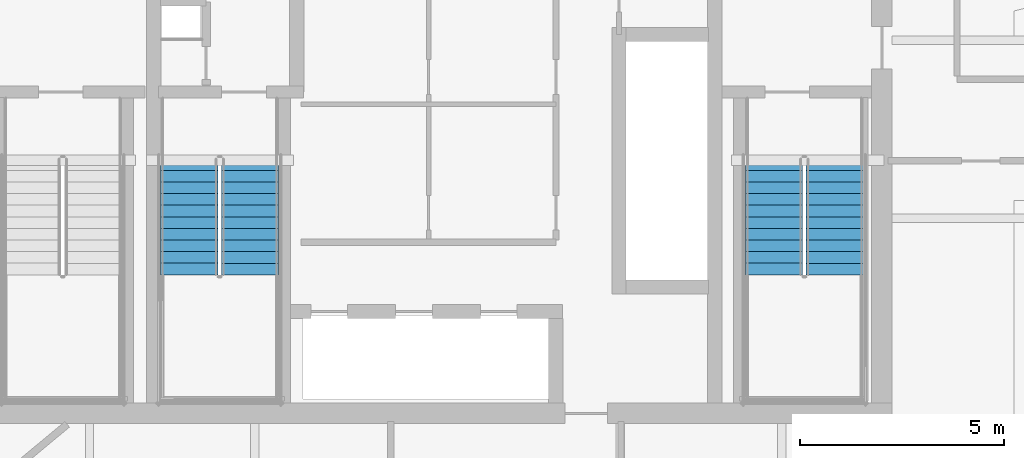
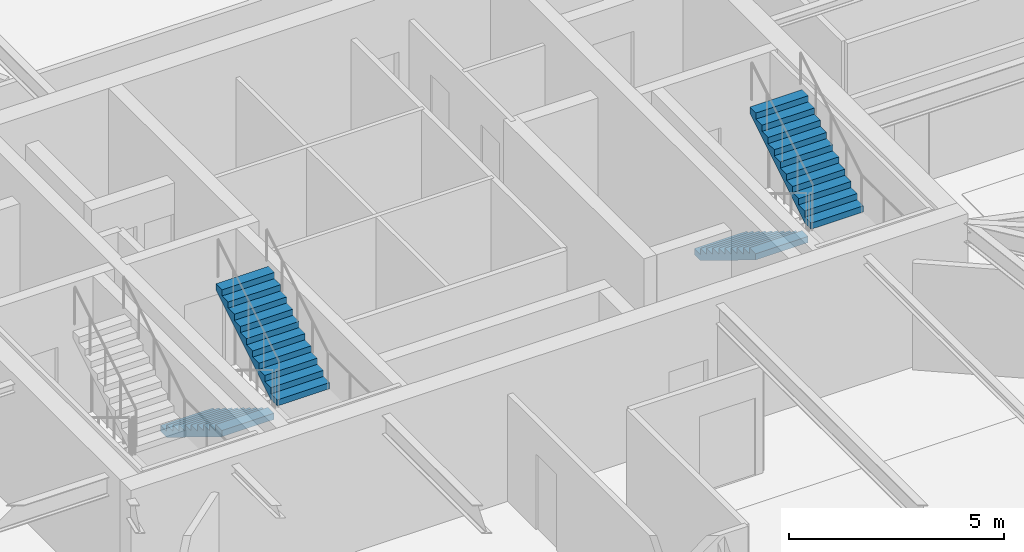
# One storey, part 16 of 20: 4 stair flights, 2 elements without a shape of their own.
"""IFC4 building model written with IfcOpenShell, lengths in metres."""

from ifc_helpers import new_model, si_unit, direction, frame, origin, place, context, subcontext, project, spatial, polyline, outline, extrude, material, type_object, element, aggregate, save


model = new_model("IFC4")

# Units and contexts
model_context = context("Model", 3, precision=1e-05, world=origin(), true_north=direction((0.0, 1.0)))
body_context = subcontext(model_context, "Body", "Model", "MODEL_VIEW")
ifc_project = project(units=[si_unit("LENGTHUNIT", "METRE"), si_unit("AREAUNIT", "SQUARE_METRE"), si_unit("VOLUMEUNIT", "CUBIC_METRE"), si_unit("PLANEANGLEUNIT", "RADIAN"), si_unit("MASSUNIT", "GRAM", prefix="KILO")], contexts=[model_context])

# Site, building, storey
site_placement = place(None, origin())
site = spatial("IfcSite", under=ifc_project, at=site_placement, CompositionType="ELEMENT")
building_placement = place(site_placement, origin())
building = spatial("IfcBuilding", under=site, at=building_placement, Name="Bramvorn Convention Spire", CompositionType="ELEMENT")
storey_placement = place(building_placement, frame((0.0, 0.0, 202.0)))
storey = spatial("IfcBuildingStorey", under=building, at=storey_placement, Name="L51", CompositionType="ELEMENT", Elevation=202.0)

# Stair, stair flights
ifc_material_1 = material(Name="Concrete C40/50 Precast Stair", Category="concrete")
stair_type = type_object("IfcStairType", Name="ST-TOWER-1550", PredefinedType="HALF_TURN_STAIR", material=ifc_material_1)
stair_1_placement = place(storey_placement, origin())
stair_1 = element("IfcStair", 1, at=stair_1_placement, inside=storey, type_object=stair_type, Name="L51 Protected Exit Stair ST2", PredefinedType="HALF_TURN_STAIR")
ifc_material_2 = material(Name="Concrete C40/50 Precast Stair Flight", Category="concrete")
stair_flight_type = type_object("IfcStairFlightType", Name="STF-TOWER-1550", PredefinedType="STRAIGHT", material=ifc_material_2)
stair_flight_1_placement = place(storey_placement, frame((46.35498046875, 25.050048828125, 0.0), z_axis=(0.0, 0.0, 1.0), x_axis=(0.0, -1.0, 0.0)))
stair_flight_1 = element("IfcStairFlight", 2, at=stair_flight_1_placement, type_object=stair_flight_type, Name="ST2 flight 1", NumberOfRisers=11, NumberOfTreads=10, PredefinedType="STRAIGHT", RiserHeight=0.175, TreadLength=0.285, context=body_context, shape_type="SweptSolid", body=[
    extrude(outline(polyline([(0.0, 0.0), (0.0, 0.175048828125), (0.284912109375, 0.175048828125), (0.284912109375, 0.35009765625), (0.570068359375, 0.35009765625), (0.570068359375, 0.52490234375), (0.85498046875, 0.52490234375), (0.85498046875, 0.699951171875), (1.139892578125, 0.699951171875), (1.139892578125, 0.875), (1.425048828125, 0.875), (1.425048828125, 1.050048828125), (1.7099609375, 1.050048828125), (1.7099609375, 1.22509765625), (1.9951171875, 1.22509765625), (1.9951171875, 1.39990234375), (2.280029296875, 1.39990234375), (2.280029296875, 1.574951171875), (2.56494140625, 1.574951171875), (2.56494140625, 1.75), (2.85009765625, 1.75), (2.85009765625, 1.925048828125), (2.85009765625, 1.573974609375), (0.286376953125, 0.0), (0.0, 0.0)])), frame((0.0, 0.705078125, 0.0), z_axis=(0.0, -1.0, 0.0), x_axis=(1.0, 0.0, 0.0)), (0.0, 0.0, 1.0), 1.409912109375),
])
stair_flight_2_placement = place(storey_placement, frame((47.844970703125, 22.199951171875, 1.925048828125), z_axis=(0.0, 0.0, 1.0), x_axis=(0.0, 1.0, 0.0)))
stair_flight_2 = element("IfcStairFlight", 3, at=stair_flight_2_placement, type_object=stair_flight_type, Name="ST2 flight 2", NumberOfRisers=11, NumberOfTreads=10, PredefinedType="STRAIGHT", RiserHeight=0.175, TreadLength=0.285, context=body_context, shape_type="SweptSolid", body=[
    extrude(outline(polyline([(0.0, 0.0), (0.0, 0.175048828125), (0.284912109375, 0.175048828125), (0.284912109375, 0.35009765625), (0.570068359375, 0.35009765625), (0.570068359375, 0.52490234375), (0.85498046875, 0.52490234375), (0.85498046875, 0.699951171875), (1.139892578125, 0.699951171875), (1.139892578125, 0.875), (1.425048828125, 0.875), (1.425048828125, 1.050048828125), (1.7099609375, 1.050048828125), (1.7099609375, 1.22509765625), (1.9951171875, 1.22509765625), (1.9951171875, 1.39990234375), (2.280029296875, 1.39990234375), (2.280029296875, 1.574951171875), (2.56494140625, 1.574951171875), (2.56494140625, 1.75), (2.85009765625, 1.75), (2.85009765625, 1.925048828125), (2.85009765625, 1.573974609375), (0.286376953125, 0.0), (0.0, 0.0)])), frame((0.0, 0.705078125, 0.0), z_axis=(0.0, -1.0, 0.0), x_axis=(1.0, 0.0, 0.0)), (0.0, 0.0, 1.0), 1.409912109375),
])
aggregate(stair_1, [stair_flight_1, stair_flight_2])

stair_2_placement = place(storey_placement, origin())
stair_2 = element("IfcStair", 4, at=stair_2_placement, inside=storey, type_object=stair_type, Name="L51 Protected Exit Stair ST3", PredefinedType="HALF_TURN_STAIR")
stair_flight_3_placement = place(storey_placement, frame((32.0048828125, 25.050048828125, 0.0), z_axis=(0.0, 0.0, 1.0), x_axis=(0.0, -1.0, 0.0)))
stair_flight_3 = element("IfcStairFlight", 5, at=stair_flight_3_placement, type_object=stair_flight_type, Name="ST3 flight 1", NumberOfRisers=11, NumberOfTreads=10, PredefinedType="STRAIGHT", RiserHeight=0.175, TreadLength=0.285, context=body_context, shape_type="SweptSolid", body=[
    extrude(outline(polyline([(0.0, 0.0), (0.0, 0.175048828125), (0.284912109375, 0.175048828125), (0.284912109375, 0.35009765625), (0.570068359375, 0.35009765625), (0.570068359375, 0.52490234375), (0.85498046875, 0.52490234375), (0.85498046875, 0.699951171875), (1.139892578125, 0.699951171875), (1.139892578125, 0.875), (1.425048828125, 0.875), (1.425048828125, 1.050048828125), (1.7099609375, 1.050048828125), (1.7099609375, 1.22509765625), (1.9951171875, 1.22509765625), (1.9951171875, 1.39990234375), (2.280029296875, 1.39990234375), (2.280029296875, 1.574951171875), (2.56494140625, 1.574951171875), (2.56494140625, 1.75), (2.85009765625, 1.75), (2.85009765625, 1.925048828125), (2.85009765625, 1.573974609375), (0.286376953125, 0.0), (0.0, 0.0)])), frame((0.0, 0.705078125, 0.0), z_axis=(0.0, -1.0, 0.0), x_axis=(1.0, 0.0, 0.0)), (0.0, 0.0, 1.0), 1.409912109375),
])
stair_flight_4_placement = place(storey_placement, frame((33.4951171875, 22.199951171875, 1.925048828125), z_axis=(0.0, 0.0, 1.0), x_axis=(0.0, 1.0, 0.0)))
stair_flight_4 = element("IfcStairFlight", 6, at=stair_flight_4_placement, type_object=stair_flight_type, Name="ST3 flight 2", NumberOfRisers=11, NumberOfTreads=10, PredefinedType="STRAIGHT", RiserHeight=0.175, TreadLength=0.285, context=body_context, shape_type="SweptSolid", body=[
    extrude(outline(polyline([(0.0, 0.0), (0.0, 0.175048828125), (0.284912109375, 0.175048828125), (0.284912109375, 0.35009765625), (0.570068359375, 0.35009765625), (0.570068359375, 0.52490234375), (0.85498046875, 0.52490234375), (0.85498046875, 0.699951171875), (1.139892578125, 0.699951171875), (1.139892578125, 0.875), (1.425048828125, 0.875), (1.425048828125, 1.050048828125), (1.7099609375, 1.050048828125), (1.7099609375, 1.22509765625), (1.9951171875, 1.22509765625), (1.9951171875, 1.39990234375), (2.280029296875, 1.39990234375), (2.280029296875, 1.574951171875), (2.56494140625, 1.574951171875), (2.56494140625, 1.75), (2.85009765625, 1.75), (2.85009765625, 1.925048828125), (2.85009765625, 1.573974609375), (0.286376953125, 0.0), (0.0, 0.0)])), frame((0.0, 0.705078125, 0.0), z_axis=(0.0, -1.0, 0.0), x_axis=(1.0, 0.0, 0.0)), (0.0, 0.0, 1.0), 1.409912109375),
])
aggregate(stair_2, [stair_flight_3, stair_flight_4])

save(model, "model.ifc")
